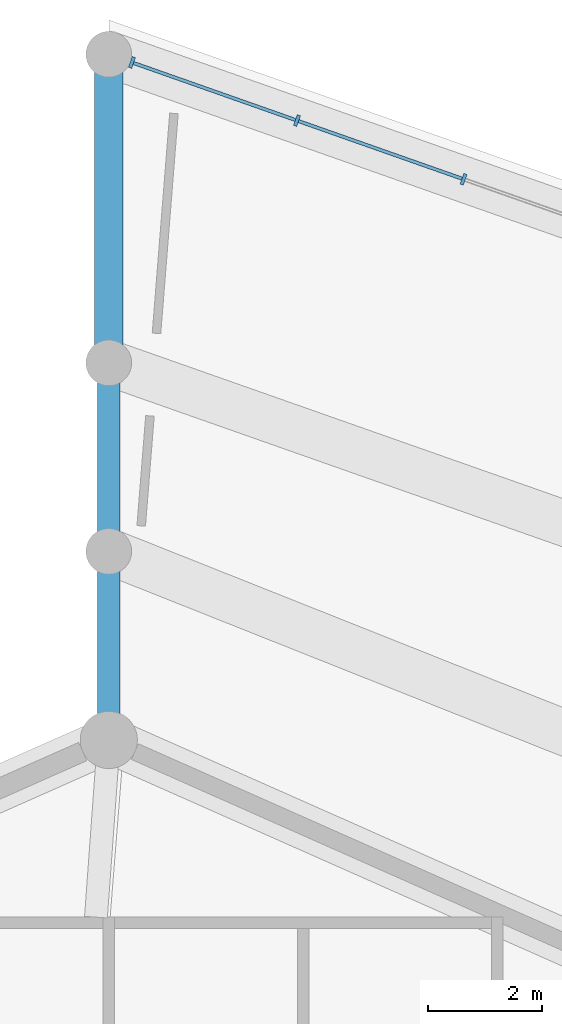
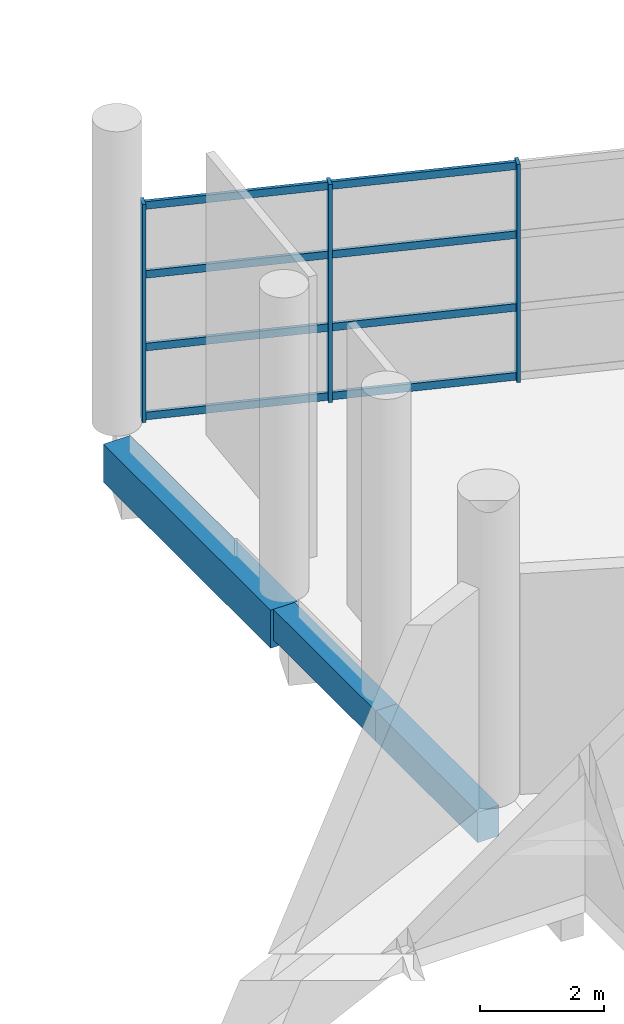
# One storey, part 74 of 249: 11 members, 3 beams, 1 element without a shape of its own.
"""IFC4 building model written with IfcOpenShell, lengths in metres."""

from ifc_helpers import new_model, si_unit, direction, frame, origin, origin_2d, place, context, subcontext, project, spatial, rectangle, extrude, material, layer, layer_set, material_profile, profile_set, type_object, element, aggregate, save


model = new_model("IFC4")

# Units and contexts
model_context = context("Model", 3, precision=1e-05, world=origin(), true_north=direction((0.0, 1.0)))
body_context = subcontext(model_context, "Body", "Model", "MODEL_VIEW")
ifc_project = project(units=[si_unit("LENGTHUNIT", "METRE"), si_unit("AREAUNIT", "SQUARE_METRE"), si_unit("VOLUMEUNIT", "CUBIC_METRE"), si_unit("PLANEANGLEUNIT", "RADIAN"), si_unit("MASSUNIT", "GRAM", prefix="KILO")], contexts=[model_context])

# Site, building, storey
site_placement = place(None, origin())
site = spatial("IfcSite", under=ifc_project, at=site_placement, CompositionType="ELEMENT")
building_placement = place(site_placement, origin())
building = spatial("IfcBuilding", under=site, at=building_placement, Name="Meseta Stadium", CompositionType="ELEMENT")
storey_placement = place(building_placement, frame((0.0, 0.0, 12.0)))
storey = spatial("IfcBuildingStorey", under=building, at=storey_placement, Name="L02", CompositionType="ELEMENT", Elevation=12.0)

# Beams
ifc_material_1 = material(Name="Concrete C40/50", Category="concrete")
ifc_material_profile_1 = material_profile(ifc_material_1, rectangle(XDim=0.39990234375, YDim=0.60009765625, at=origin_2d()), Name="RC 400x600")
ifc_profile_set_1 = profile_set([ifc_material_profile_1], Name="Concrete C40/50")
beam_type_1 = type_object("IfcBeamType", Name="RC beam 400x600", PredefinedType="BEAM", material=ifc_profile_set_1)
for number, where, z_axis, x_axis, name in (
    (1, (7.666748046875, 105.39990234375, -0.64990234375), (0.0, 1.0, 0.0), (-1.0, 0.0, 0.0), "L02 radial beam frame 18 line R to M"),
    (2, (7.666748046875, 108.699951171875, -0.64990234375), (0.0, 1.0, 0.0), (-1.0, 0.0, 0.0), "L02 radial beam frame 18 line M to Q"),
):
    element("IfcBeam", number, at=place(storey_placement, frame(where, z_axis=z_axis, x_axis=x_axis)), inside=storey, type_object=beam_type_1, Name=name, PredefinedType="BEAM", context=body_context, shape_type="SweptSolid", body=[
        extrude(rectangle(XDim=0.39990234375, YDim=0.60009765625, at=origin_2d()), origin(), (0.0, 0.0, 1.0), 3.300048828125),
    ])
ifc_material_2 = material(Name="Concrete C40/50", Category="concrete")
ifc_material_profile_2 = material_profile(ifc_material_2, rectangle(XDim=0.5, YDim=0.75, at=origin_2d()), Name="RC 500x750")
ifc_profile_set_2 = profile_set([ifc_material_profile_2], Name="Concrete C40/50")
beam_type_2 = type_object("IfcBeamType", Name="RC beam 500x750", PredefinedType="BEAM", material=ifc_profile_set_2)
beam_placement = place(storey_placement, frame((7.666748046875, 112.0, -0.72509765625), z_axis=(0.0, 1.0, 0.0), x_axis=(-1.0, 0.0, 0.0)))
element("IfcBeam", 3, at=beam_placement, inside=storey, type_object=beam_type_2, Name="L02 radial beam frame 18 line Q to O", PredefinedType="BEAM", context=body_context, shape_type="SweptSolid", body=[
    extrude(rectangle(XDim=0.5, YDim=0.75, at=origin_2d()), origin(), (0.0, 0.0, 1.0), 5.39990234375),
])

# Curtain wall, members
ifc_material_3 = material(Name="Aluminium", Category="aluminium")
ifc_layer = layer(ifc_material_3, 0.199951171875)
ifc_layer_set = layer_set([ifc_layer], Name="Ring shopfront curtain wall")
curtain_wall_type = type_object("IfcCurtainWallType", Name="Ring shopfront curtain wall", PredefinedType="NOTDEFINED", material=ifc_layer_set)
curtain_wall_placement = place(storey_placement, origin())
curtain_wall = element("IfcCurtainWall", 4, at=curtain_wall_placement, inside=storey, type_object=curtain_wall_type, Name="Ring glazing L02 F17", PredefinedType="NOTDEFINED")
ifc_material_4 = material(Name="Aluminium", Category="aluminium")
ifc_material_profile_3 = material_profile(ifc_material_4, rectangle(XDim=0.199951171875, YDim=0.06005859375, at=origin_2d()), Name="CW 200x60")
ifc_profile_set_3 = profile_set([ifc_material_profile_3], Name="Aluminium")
member_type_1 = type_object("IfcMemberType", Name="Ring CW mullion 60x200", PredefinedType="MULLION", material=ifc_profile_set_3)
member_1_placement = place(storey_placement, frame((13.87548828125, 115.21337890625, 0.0), z_axis=(0.0, 0.0, 1.0), x_axis=(-0.332174330154, -0.943218009999, 0.0)))
member_1 = element("IfcMember", 5, at=member_1_placement, type_object=member_type_1, Name="CWR1 mullion 4", PredefinedType="MULLION", context=body_context, shape_type="SweptSolid", body=[
    extrude(rectangle(XDim=0.199951171875, YDim=0.06005859375, at=origin_2d()), origin(), (0.0, 0.0, 1.0), 4.300048828125),
])
member_2_placement = place(storey_placement, frame((10.959716796875, 116.240234375, 0.0), z_axis=(0.0, 0.0, 1.0), x_axis=(-0.332174330154, -0.943218009999, 0.0)))
member_2 = element("IfcMember", 6, at=member_2_placement, type_object=member_type_1, Name="CWR1 mullion 5", PredefinedType="MULLION", context=body_context, shape_type="SweptSolid", body=[
    extrude(rectangle(XDim=0.199951171875, YDim=0.06005859375, at=origin_2d()), origin(), (0.0, 0.0, 1.0), 4.300048828125),
])
member_3_placement = place(storey_placement, frame((8.072265625, 117.257080078125, 0.0), z_axis=(0.0, 0.0, 1.0), x_axis=(-0.332174330154, -0.943218009999, 0.0)))
member_3 = element("IfcMember", 7, at=member_3_placement, type_object=member_type_1, Name="CWR1 mullion 6", PredefinedType="MULLION", context=body_context, shape_type="SweptSolid", body=[
    extrude(rectangle(XDim=0.199951171875, YDim=0.06005859375, at=origin_2d()), origin(), (0.0, 0.0, 1.0), 4.300048828125),
])
ifc_material_5 = material(Name="Aluminium", Category="aluminium")
ifc_material_profile_4 = material_profile(ifc_material_5, rectangle(XDim=0.06005859375, YDim=0.14990234375, at=origin_2d()), Name="CW 60x150")
ifc_profile_set_4 = profile_set([ifc_material_profile_4], Name="Aluminium")
member_type_2 = type_object("IfcMemberType", Name="Ring CW transom 60x150", PredefinedType="USERDEFINED", material=ifc_profile_set_4)
member_4_placement = place(storey_placement, frame((13.84716796875, 115.223388671875, 0.074951171875), z_axis=(-0.943225032885, 0.332154387808, 0.0), x_axis=(-0.332154387808, -0.943225032885, 0.0)))
member_4 = element("IfcMember", 8, at=member_4_placement, type_object=member_type_2, Name="CWR1 transom 4.1", ObjectType="TRANSOM", PredefinedType="USERDEFINED", context=body_context, shape_type="SweptSolid", body=[
    extrude(rectangle(XDim=0.06005859375, YDim=0.14990234375, at=origin_2d()), origin(), (0.0, 0.0, 1.0), 3.03125),
])
member_5_placement = place(storey_placement, frame((13.84716796875, 115.223388671875, 1.433349609375), z_axis=(-0.943225032885, 0.332154387808, 0.0), x_axis=(-0.332154387808, -0.943225032885, 0.0)))
member_5 = element("IfcMember", 9, at=member_5_placement, type_object=member_type_2, Name="CWR1 transom 4.2", ObjectType="TRANSOM", PredefinedType="USERDEFINED", context=body_context, shape_type="SweptSolid", body=[
    extrude(rectangle(XDim=0.06005859375, YDim=0.14990234375, at=origin_2d()), origin(), (0.0, 0.0, 1.0), 3.03125),
])
member_6_placement = place(storey_placement, frame((13.84716796875, 115.223388671875, 2.86669921875), z_axis=(-0.943225032885, 0.332154387808, 0.0), x_axis=(-0.332154387808, -0.943225032885, 0.0)))
member_6 = element("IfcMember", 10, at=member_6_placement, type_object=member_type_2, Name="CWR1 transom 4.3", ObjectType="TRANSOM", PredefinedType="USERDEFINED", context=body_context, shape_type="SweptSolid", body=[
    extrude(rectangle(XDim=0.06005859375, YDim=0.14990234375, at=origin_2d()), origin(), (0.0, 0.0, 1.0), 3.03125),
])
member_7_placement = place(storey_placement, frame((13.84716796875, 115.223388671875, 4.22509765625), z_axis=(-0.943225032885, 0.332154387808, 0.0), x_axis=(-0.332154387808, -0.943225032885, 0.0)))
member_7 = element("IfcMember", 11, at=member_7_placement, type_object=member_type_2, Name="CWR1 transom 4.4", ObjectType="TRANSOM", PredefinedType="USERDEFINED", context=body_context, shape_type="SweptSolid", body=[
    extrude(rectangle(XDim=0.06005859375, YDim=0.14990234375, at=origin_2d()), origin(), (0.0, 0.0, 1.0), 3.03125),
])
member_8_placement = place(storey_placement, frame((10.931396484375, 116.250244140625, 0.074951171875), z_axis=(-0.943228878245, 0.332143467863, 0.0), x_axis=(-0.332143467863, -0.943228878245, 0.0)))
member_8 = element("IfcMember", 12, at=member_8_placement, type_object=member_type_2, Name="CWR1 transom 5.1", ObjectType="TRANSOM", PredefinedType="USERDEFINED", context=body_context, shape_type="SweptSolid", body=[
    extrude(rectangle(XDim=0.06005859375, YDim=0.14990234375, at=origin_2d()), origin(), (0.0, 0.0, 1.0), 3.001220703125),
])
member_9_placement = place(storey_placement, frame((10.931396484375, 116.250244140625, 1.433349609375), z_axis=(-0.943228878245, 0.332143467863, 0.0), x_axis=(-0.332143467863, -0.943228878245, 0.0)))
member_9 = element("IfcMember", 13, at=member_9_placement, type_object=member_type_2, Name="CWR1 transom 5.2", ObjectType="TRANSOM", PredefinedType="USERDEFINED", context=body_context, shape_type="SweptSolid", body=[
    extrude(rectangle(XDim=0.06005859375, YDim=0.14990234375, at=origin_2d()), origin(), (0.0, 0.0, 1.0), 3.001220703125),
])
member_10_placement = place(storey_placement, frame((10.931396484375, 116.250244140625, 2.86669921875), z_axis=(-0.943228878245, 0.332143467863, 0.0), x_axis=(-0.332143467863, -0.943228878245, 0.0)))
member_10 = element("IfcMember", 14, at=member_10_placement, type_object=member_type_2, Name="CWR1 transom 5.3", ObjectType="TRANSOM", PredefinedType="USERDEFINED", context=body_context, shape_type="SweptSolid", body=[
    extrude(rectangle(XDim=0.06005859375, YDim=0.14990234375, at=origin_2d()), origin(), (0.0, 0.0, 1.0), 3.001220703125),
])
member_11_placement = place(storey_placement, frame((10.931396484375, 116.250244140625, 4.22509765625), z_axis=(-0.943228878245, 0.332143467863, 0.0), x_axis=(-0.332143467863, -0.943228878245, 0.0)))
member_11 = element("IfcMember", 15, at=member_11_placement, type_object=member_type_2, Name="CWR1 transom 5.4", ObjectType="TRANSOM", PredefinedType="USERDEFINED", context=body_context, shape_type="SweptSolid", body=[
    extrude(rectangle(XDim=0.06005859375, YDim=0.14990234375, at=origin_2d()), origin(), (0.0, 0.0, 1.0), 3.001220703125),
])
aggregate(curtain_wall, [member_1, member_2, member_3, member_4, member_5, member_6, member_7, member_8, member_9, member_10, member_11])

save(model, "model.ifc")
